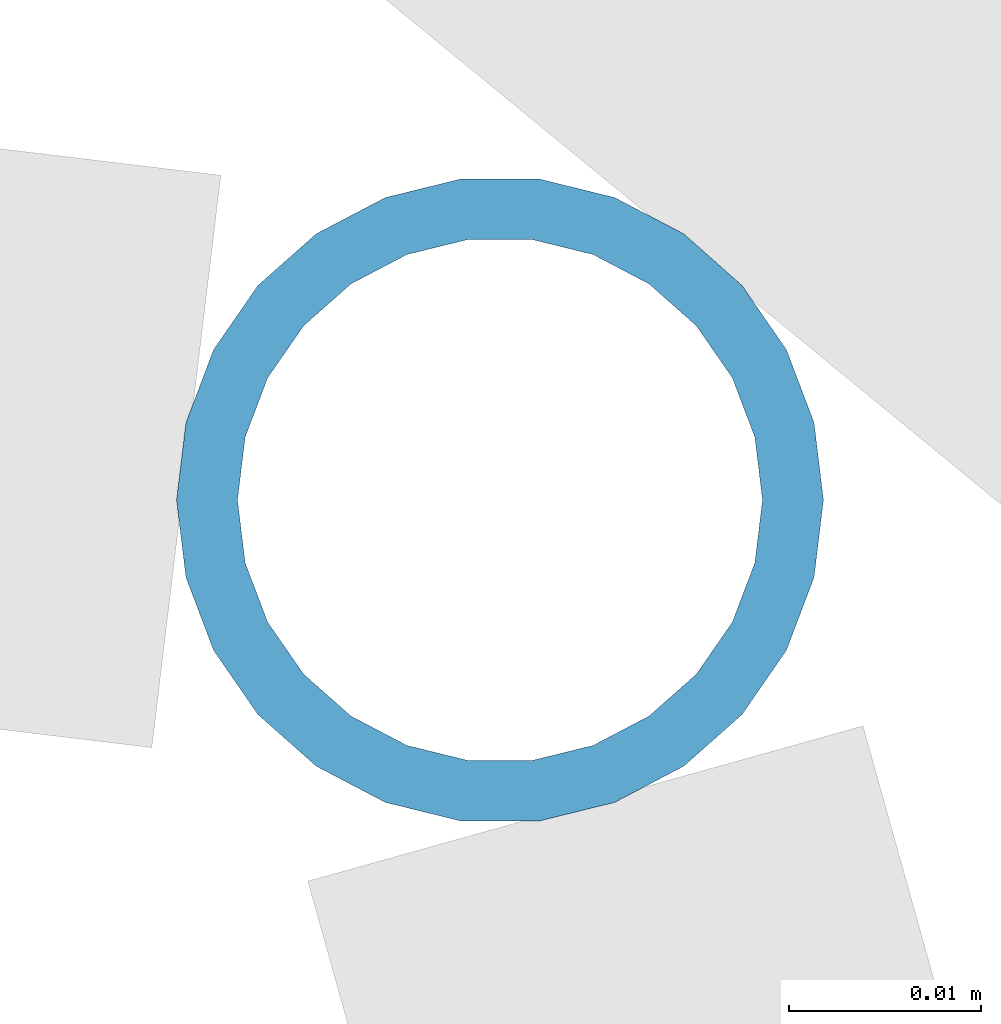
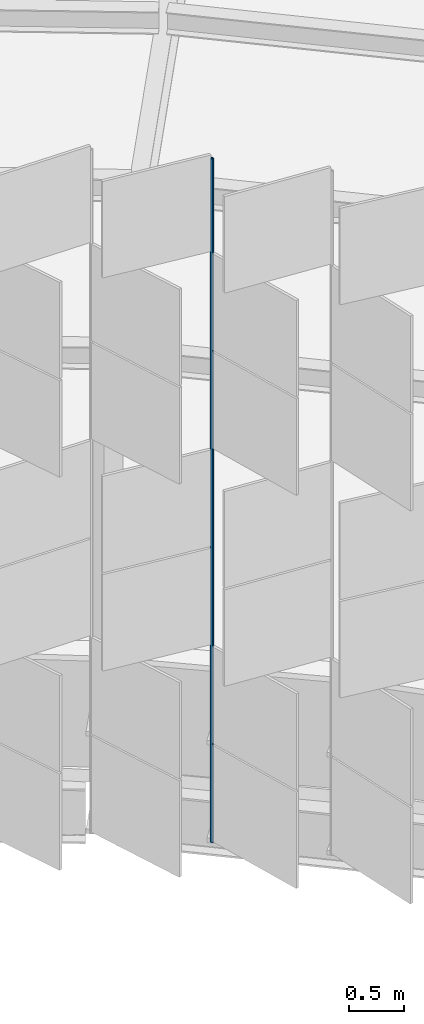
# One storey, part 266 of 483: 1 discrete accessory.
"""IFC4 building model written with IfcOpenShell, lengths in metres."""

from ifc_helpers import new_model, si_unit, direction, frame, origin, origin_2d, place, context, subcontext, project, spatial, hollow_circle, extrude, material, material_profile, profile_set, type_object, element, save


model = new_model("IFC4")

# Units and contexts
model_context = context("Model", 3, precision=1e-05, world=origin(), true_north=direction((0.0, 1.0)))
body_context = subcontext(model_context, "Body", "Model", "MODEL_VIEW")
ifc_project = project(units=[si_unit("LENGTHUNIT", "METRE"), si_unit("AREAUNIT", "SQUARE_METRE"), si_unit("VOLUMEUNIT", "CUBIC_METRE"), si_unit("PLANEANGLEUNIT", "RADIAN"), si_unit("MASSUNIT", "GRAM", prefix="KILO")], contexts=[model_context])

# Site, building, storey
site_placement = place(None, origin())
site = spatial("IfcSite", under=ifc_project, at=site_placement, CompositionType="ELEMENT")
building_placement = place(site_placement, origin())
building = spatial("IfcBuilding", under=site, at=building_placement, Name="Parallax Yard Mobility Hub", CompositionType="ELEMENT")
storey_placement = place(building_placement, frame((0.0, 0.0, 13.199951171875)))
storey = spatial("IfcBuildingStorey", under=building, at=storey_placement, Name="L04", CompositionType="ELEMENT", Elevation=13.199951171875)

# Discrete accessory
ifc_material = material(Name="Steel ASTM A500 Gr C, hot-dip galvanised", Category="steel")
ifc_material_profile = material_profile(ifc_material, hollow_circle(Radius=0.016845703125, WallThickness=0.003173828125, at=origin_2d()), Name="CHS 33.7x3.2")
ifc_profile_set = profile_set([ifc_material_profile], Name="Steel ASTM A500 Gr C, hot-dip galvanised")
discrete_accessory_type = type_object("IfcDiscreteAccessoryType", Name="Hinge post CHS 33.7x3.2", PredefinedType="BRACKET", material=ifc_profile_set)
discrete_accessory_placement = place(storey_placement, frame((186.019775390625, 106.702392578125, 0.0), z_axis=(0.0, 0.0, 1.0), x_axis=(1.0, 0.0, 0.0)))
element("IfcDiscreteAccessory", 1, at=discrete_accessory_placement, inside=storey, type_object=discrete_accessory_type, Name="Hinge post bay 20.2 level L04", PredefinedType="BRACKET", context=body_context, shape_type="SweptSolid", body=[
    extrude(hollow_circle(Radius=0.016845703125, WallThickness=0.003173828125, at=origin_2d()), origin(), (0.0, 0.0, 1.0), 7.650146484375),
])

save(model, "model.ifc")
